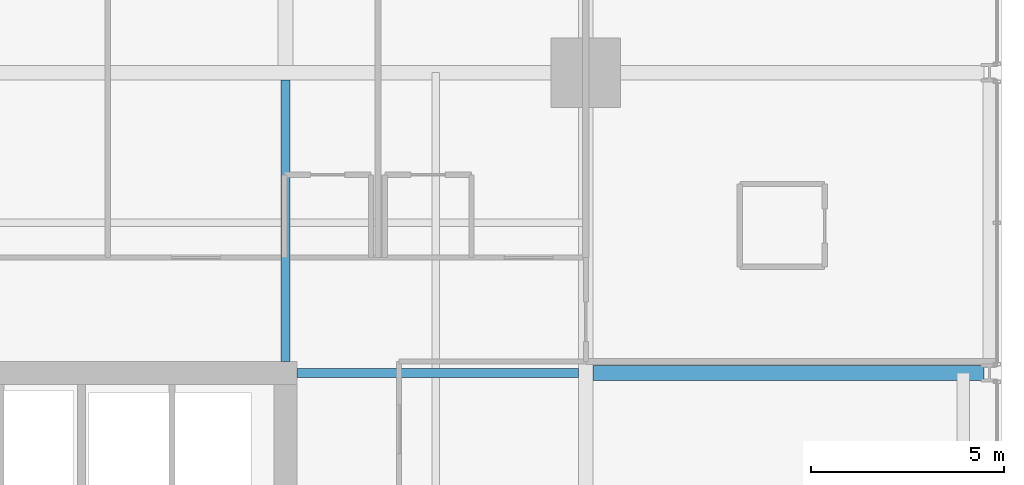
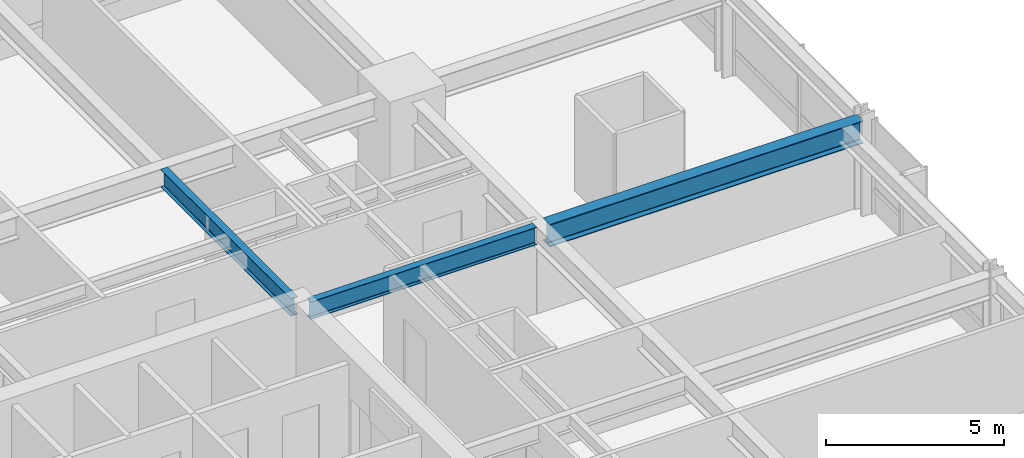
# One storey, part 24 of 38: 3 beams.
"""IFC4 building model written with IfcOpenShell, lengths in metres."""

import ifcopenshell
import ifcopenshell.guid

model = None  # the IFC model being written
_history = None  # IfcOwnerHistory: only IFC2X3 demands one
_inside = {}  # id of a spatial element -> (the spatial element, [elements in it])
_under = {}  # id of a project, library or spatial element -> (it, [spatial elements below it])
_declared = {}  # id of a project -> (the project, [libraries it declares])
_typed = {}  # id of a type object -> (the type object, [elements of that type])
_made_of = {}  # id of a material, layer set ... -> (it, [elements and type objects made of it])


def new_model(schema):
    """Start an empty IFC model of exactly this schema.

    Asked for "IFC4X3", IfcOpenShell would pick the latest addendum, in which some entities
    have other attributes; the version numbers below select the first issue.
    IFC2X3 requires an IfcOwnerHistory on every rooted entity: one is made here for all.
    """
    global model, _history
    if schema == "IFC4X3":
        model = ifcopenshell.file(schema_version=(4, 3, 0, 0))
    else:
        model = ifcopenshell.file(schema=schema)
    _inside.clear()
    _under.clear()
    _declared.clear()
    _typed.clear()
    _made_of.clear()
    _history = None
    if model.schema == "IFC2X3":
        org = make("IfcOrganization", Name="unknown")
        user = make(
            "IfcPersonAndOrganization",
            ThePerson=make("IfcPerson", FamilyName="unknown"),
            TheOrganization=org,
        )
        app = make(
            "IfcApplication",
            ApplicationDeveloper=org,
            Version="unknown",
            ApplicationFullName="unknown",
            ApplicationIdentifier="unknown",
        )
        _history = make(
            "IfcOwnerHistory",
            OwningUser=user,
            OwningApplication=app,
            ChangeAction="ADDED",
            CreationDate=0,
        )
    return model


def make(cls, **values):
    """One entity of the class cls with the attributes given. An attribute that is None is left unset."""
    return model.create_entity(
        cls, **{name: value for name, value in values.items() if value is not None}
    )


def rooted(cls, **values):
    """An entity with a GlobalId (a new one), such as an element, a storey or a relation."""
    return make(cls, GlobalId=ifcopenshell.guid.new(), OwnerHistory=_history, **values)


def si_unit(unit_type, name, prefix=None):
    """IfcSIUnit, for example si_unit("LENGTHUNIT", "METRE", prefix="MILLI")."""
    return make("IfcSIUnit", UnitType=unit_type, Prefix=prefix, Name=name)


def assignment(units):
    """IfcUnitAssignment: the units of a project."""
    return None if units is None else make("IfcUnitAssignment", Units=units)


def point(xyz):
    """IfcCartesianPoint."""
    return None if xyz is None else make("IfcCartesianPoint", Coordinates=xyz)


def direction(xyz):
    """IfcDirection."""
    return None if xyz is None else make("IfcDirection", DirectionRatios=xyz)


def frame(location, z_axis=None, x_axis=None):
    """IfcAxis2Placement3D, a coordinate frame: its origin and axes. An axis left out is left unset."""
    return make(
        "IfcAxis2Placement3D",
        Location=point(location),
        Axis=direction(z_axis),
        RefDirection=direction(x_axis),
    )


def frame_2d(location, x_axis=None):
    """IfcAxis2Placement2D, a coordinate frame in the plane: its origin and x axis."""
    return make(
        "IfcAxis2Placement2D", Location=point(location), RefDirection=direction(x_axis)
    )


def origin():
    """The frame at (0, 0, 0) with its axes left unset."""
    return frame((0.0, 0.0, 0.0))


def origin_2d():
    """The frame at (0, 0) in the plane with its x axis left unset."""
    return frame_2d((0.0, 0.0))


def place(relative_to, where):
    """IfcLocalPlacement: puts the frame where relative to a parent placement (None: the world)."""
    return make(
        "IfcLocalPlacement", PlacementRelTo=relative_to, RelativePlacement=where
    )


def context(
    kind, dimensions, precision=None, world=None, true_north=None, identifier=None
):
    """IfcGeometricRepresentationContext, for example the 3D "Model" context."""
    return make(
        "IfcGeometricRepresentationContext",
        ContextIdentifier=identifier,
        ContextType=kind,
        CoordinateSpaceDimension=dimensions,
        Precision=precision,
        WorldCoordinateSystem=world,
        TrueNorth=true_north,
    )


def subcontext(parent, identifier, kind, view, scale=None):
    """IfcGeometricRepresentationSubContext, for example "Body" below "Model"."""
    return make(
        "IfcGeometricRepresentationSubContext",
        ContextIdentifier=identifier,
        ContextType=kind,
        ParentContext=parent,
        TargetScale=scale,
        TargetView=view,
    )


def project(units=None, contexts=None):
    """IfcProject with its units and contexts."""
    return rooted(
        "IfcProject",
        Name="project",
        RepresentationContexts=contexts,
        UnitsInContext=assignment(units),
    )


def spatial(cls, under=None, at=None, **own):
    """A site, building, storey or space (cls), placed at a placement, below another one or the project."""
    s = rooted(cls, ObjectPlacement=at, **own)
    if under is not None:
        _under.setdefault(under.id(), (under, []))[1].append(s)
    return s


def profile(cls, at=None, kind="AREA", **sizes):
    """A parametric profile (cls). Its sizes go by their IFC names, for example OverallWidth=200.0."""
    return make(cls, ProfileType=kind, Position=at, **sizes)


def i_section(**sizes):
    """IfcIShapeProfileDef."""
    return profile("IfcIShapeProfileDef", **sizes)


def extrude(swept, where, along, depth):
    """IfcExtrudedAreaSolid: the profile swept, set in the frame where, extruded along a direction by depth."""
    return make(
        "IfcExtrudedAreaSolid",
        SweptArea=swept,
        Position=where,
        ExtrudedDirection=direction(along),
        Depth=depth,
    )


def shape(context_of_items, identifier, shape_type, items):
    """IfcShapeRepresentation: the items that make up one representation, for example the "Body"."""
    return make(
        "IfcShapeRepresentation",
        ContextOfItems=context_of_items,
        RepresentationIdentifier=identifier,
        RepresentationType=shape_type,
        Items=items,
    )


def material(Name=None, Category=None):
    """IfcMaterial."""
    return make("IfcMaterial", Name=Name, Category=Category)


def material_profile(
    of_material, cross_section, Name=None, Category=None, Priority=None
):
    """IfcMaterialProfile: a cross section and its material."""
    return make(
        "IfcMaterialProfile",
        Name=Name,
        Material=of_material,
        Profile=cross_section,
        Priority=Priority,
        Category=Category,
    )


def profile_set(profiles, Name=None, composite=None):
    """IfcMaterialProfileSet."""
    return make(
        "IfcMaterialProfileSet",
        Name=Name,
        MaterialProfiles=profiles,
        CompositeProfile=composite,
    )


def made_of(thing, what):
    """Note that an element or type object is made of a material, layer set ...; save() writes the relation."""
    if what is not None:
        _made_of.setdefault(what.id(), (what, []))[1].append(thing)
    return thing


def type_object(cls, material=None, **own):
    """A type object (cls), such as IfcWallType, which elements share."""
    return made_of(rooted(cls, **own), material)


def element(
    cls,
    number,
    at=None,
    inside=None,
    cuts=None,
    type_object=None,
    material=None,
    context=None,
    identifier="Body",
    shape_type=None,
    held_by="IfcProductDefinitionShape",
    body=None,
    shapes=None,
    **own,
):
    """One element of the class cls, such as IfcWall. Its Tag is "e" and its number.

    at: its placement. inside: the storey or other place that contains it. cuts: it is an
    opening in that element (IfcRelVoidsElement). A single representation is given by context,
    identifier, shape_type and body (its items); several are given by shapes. held_by: the class
    of the entity that holds the representations. save() writes the other relations.
    """
    e = rooted(cls, Tag="e%d" % number, ObjectPlacement=at, **own)
    if body is not None:
        shapes = [shape(context, identifier, shape_type, body)]
    if shapes is not None:
        e.Representation = make(held_by, Representations=shapes)
    if inside is not None:
        _inside.setdefault(inside.id(), (inside, []))[1].append(e)
    if cuts is not None:
        rooted(
            "IfcRelVoidsElement", RelatingBuildingElement=cuts, RelatedOpeningElement=e
        )
    if type_object is not None:
        _typed.setdefault(type_object.id(), (type_object, []))[1].append(e)
    return made_of(e, material)


def aggregate(whole, parts):
    """IfcRelAggregates: a whole, such as a stair, and the parts it consists of."""
    return rooted("IfcRelAggregates", RelatingObject=whole, RelatedObjects=parts)


def save(model, path):
    """Write the relations noted so far, then the file.

    IfcRelAggregates (storeys below a building ...), IfcRelContainedInSpatialStructure (elements
    in a storey), IfcRelDefinesByType, IfcRelAssociatesMaterial and IfcRelDeclares: one each for
    every whole, place, type object, material and project.
    """
    for whole, parts in _under.values():
        aggregate(whole, parts)
    for where, things in _inside.values():
        rooted(
            "IfcRelContainedInSpatialStructure",
            RelatedElements=things,
            RelatingStructure=where,
        )
    for kind, things in _typed.values():
        rooted("IfcRelDefinesByType", RelatedObjects=things, RelatingType=kind)
    for what, things in _made_of.values():
        rooted("IfcRelAssociatesMaterial", RelatedObjects=things, RelatingMaterial=what)
    for by, libraries in _declared.values():
        rooted("IfcRelDeclares", RelatingContext=by, RelatedDefinitions=libraries)
    model.write(path)


model = new_model("IFC4")

# Units and contexts
model_context = context("Model", 3, precision=1e-05, world=origin(), true_north=direction((0.0, 1.0)))
body_context = subcontext(model_context, "Body", "Model", "MODEL_VIEW")
ifc_project = project(units=[si_unit("LENGTHUNIT", "METRE"), si_unit("AREAUNIT", "SQUARE_METRE"), si_unit("VOLUMEUNIT", "CUBIC_METRE"), si_unit("PLANEANGLEUNIT", "RADIAN"), si_unit("MASSUNIT", "GRAM", prefix="KILO")], contexts=[model_context])

# Site, building, storey
site_placement = place(None, origin())
site = spatial("IfcSite", under=ifc_project, at=site_placement, CompositionType="ELEMENT")
building_placement = place(site_placement, origin())
building = spatial("IfcBuilding", under=site, at=building_placement, Name="Drelvath Grand Hotel", CompositionType="ELEMENT")
storey_placement = place(building_placement, frame((0.0, 0.0, 61.199951171875)))
storey = spatial("IfcBuildingStorey", under=building, at=storey_placement, Name="L14", CompositionType="ELEMENT", Elevation=61.199951171875)

# Beams
ifc_material = material(Name="Steel ASTM A992 Gr 50", Category="steel")
ifc_material_profile_1 = material_profile(ifc_material, i_section(OverallWidth=0.228271484375, OverallDepth=0.607666015625, WebThickness=0.01123046875, FlangeThickness=0.017333984375, FilletRadius=0.02001953125, at=origin_2d()), Name="W24X76")
ifc_profile_set_1 = profile_set([ifc_material_profile_1], Name="Steel ASTM A992 Gr 50")
beam_type_1 = type_object("IfcBeamType", Name="Primary Floor Girder W24X76", PredefinedType="BEAM", material=ifc_profile_set_1)
for number, where, z_axis, x_axis, name in (
    (1, (8.699951171875, 35.39990234375, 2.936279296875), (1.0, 0.0, 0.0), (0.0, 1.0, 0.0), "L14 East Core Tie F"),
    (2, (8.39990234375, 35.699951171875, 2.936279296875), (0.0, 1.0, 0.0), (-1.0, 0.0, 0.0), "L14 North Core Tie 6"),
):
    element("IfcBeam", number, at=place(storey_placement, frame(where, z_axis=z_axis, x_axis=x_axis)), inside=storey, type_object=beam_type_1, Name=name, PredefinedType="BEAM", context=body_context, shape_type="SweptSolid", body=[
        extrude(i_section(OverallWidth=0.228271484375, OverallDepth=0.607666015625, WebThickness=0.01123046875, FlangeThickness=0.017333984375, FilletRadius=0.02001953125, at=origin_2d()), origin(), (0.0, 0.0, 1.0), 7.309814453125),
    ])
ifc_material_profile_2 = material_profile(ifc_material, i_section(OverallWidth=0.380615234375, OverallDepth=0.773193359375, WebThickness=0.0166015625, FlangeThickness=0.027099609375, FilletRadius=0.02490234375, at=origin_2d()), Name="W30X173")
ifc_profile_set_2 = profile_set([ifc_material_profile_2], Name="Steel ASTM A992 Gr 50")
beam_type_2 = type_object("IfcBeamType", Name="Primary Floor Girder W30X173", PredefinedType="BEAM", material=ifc_profile_set_2)
beam_placement = place(storey_placement, frame((16.390380859375, 35.39990234375, 2.853515625), z_axis=(1.0, 0.0, 0.0), x_axis=(0.0, 1.0, 0.0)))
element("IfcBeam", 3, at=beam_placement, inside=storey, type_object=beam_type_2, Name="L14 East Wing Girder F", PredefinedType="BEAM", context=body_context, shape_type="SweptSolid", body=[
    extrude(i_section(OverallWidth=0.380615234375, OverallDepth=0.773193359375, WebThickness=0.0166015625, FlangeThickness=0.027099609375, FilletRadius=0.02490234375, at=origin_2d()), origin(), (0.0, 0.0, 1.0), 10.149658203125),
])

save(model, "model.ifc")
